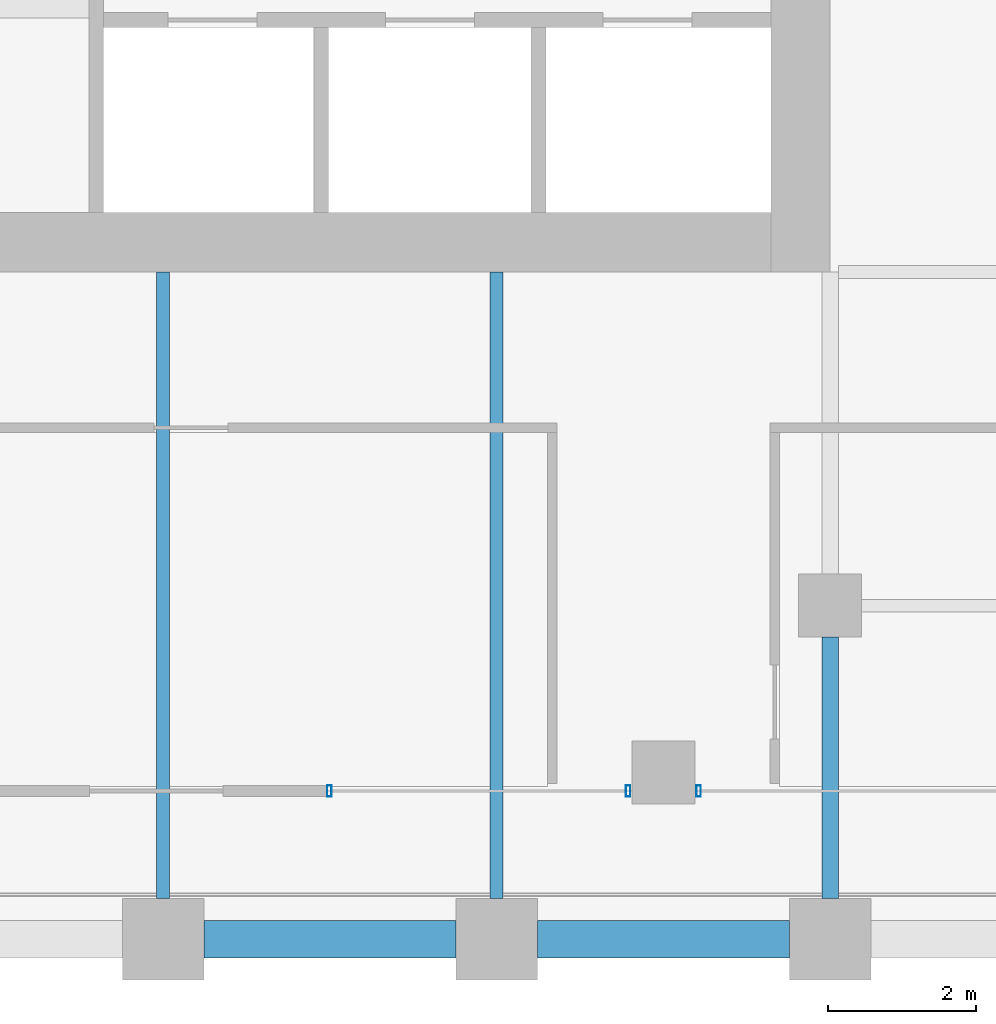
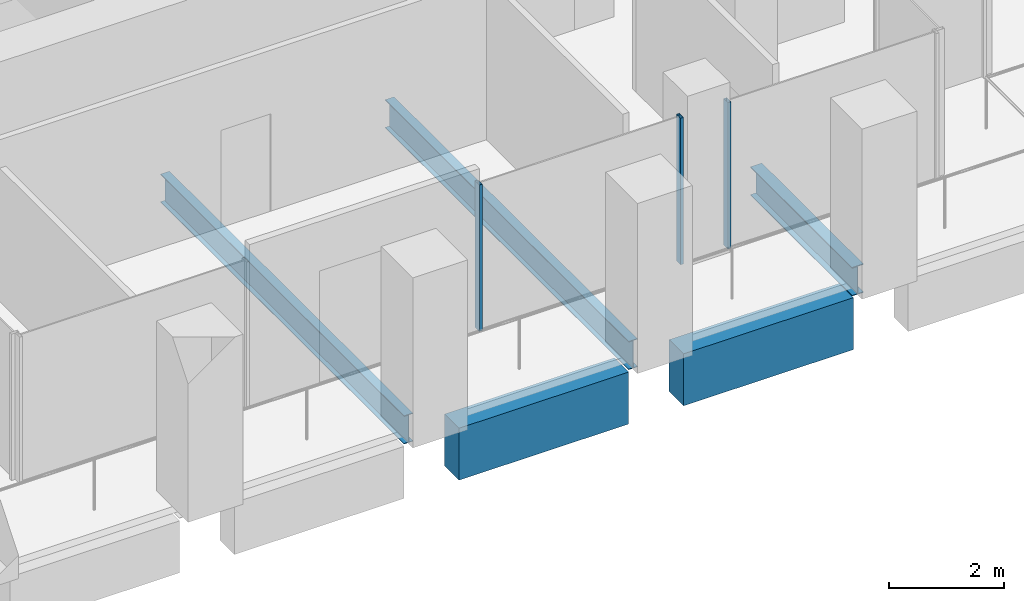
# One storey, part 37 of 56: 5 beams, 3 members, 2 elements without a shape of their own.
"""IFC4 building model written with IfcOpenShell, lengths in metres."""

from ifc_helpers import new_model, si_unit, direction, frame, origin, origin_2d, place, context, subcontext, project, spatial, rectangle, hollow_rectangle, i_section, extrude, material, material_profile, profile_set, type_object, element, aggregate, save


model = new_model("IFC4")

# Units and contexts
model_context = context("Model", 3, precision=1e-05, world=origin(), true_north=direction((0.0, 1.0)))
body_context = subcontext(model_context, "Body", "Model", "MODEL_VIEW")
ifc_project = project(units=[si_unit("LENGTHUNIT", "METRE"), si_unit("AREAUNIT", "SQUARE_METRE"), si_unit("VOLUMEUNIT", "CUBIC_METRE"), si_unit("PLANEANGLEUNIT", "RADIAN"), si_unit("MASSUNIT", "GRAM", prefix="KILO")], contexts=[model_context])

# Site, building, storey
site_placement = place(None, origin())
site = spatial("IfcSite", under=ifc_project, at=site_placement, CompositionType="ELEMENT")
building_placement = place(site_placement, origin())
building = spatial("IfcBuilding", under=site, at=building_placement, Name="Altepetl Exchange Towers", CompositionType="ELEMENT")
storey_placement = place(building_placement, frame((0.0, 0.0, 51.0)))
storey = spatial("IfcBuildingStorey", under=building, at=storey_placement, Name="L11", CompositionType="ELEMENT", Elevation=51.0)

# Beams
ifc_material_1 = material(Name="Steel S355", Category="steel")
ifc_material_profile_1 = material_profile(ifc_material_1, i_section(OverallWidth=0.177978515625, OverallDepth=0.59912109375, WebThickness=0.010009765625, FlangeThickness=0.0126953125, at=origin_2d()), Name="W24X55")
ifc_profile_set_1 = profile_set([ifc_material_profile_1], Name="Steel S355")
beam_type_1 = type_object("IfcBeamType", Name="Floor beam W24X55", PredefinedType="BEAM", material=ifc_profile_set_1)
for number, where, z_axis, x_axis, name in (
    (1, (108.0, 27.550048828125, -0.449462890625), (0.0, 1.0, 0.0), (-1.0, 0.0, 0.0), "bm:B:L11:010"),
    (2, (112.5, 27.550048828125, -0.449462890625), (0.0, 1.0, 0.0), (-1.0, 0.0, 0.0), "bm:B:L11:011"),
):
    element("IfcBeam", number, at=place(storey_placement, frame(where, z_axis=z_axis, x_axis=x_axis)), inside=storey, type_object=beam_type_1, Name=name, PredefinedType="BEAM", context=body_context, shape_type="SweptSolid", body=[
        extrude(i_section(OverallWidth=0.177978515625, OverallDepth=0.59912109375, WebThickness=0.010009765625, FlangeThickness=0.0126953125, at=origin_2d()), origin(), (0.0, 0.0, 1.0), 8.449951171875),
    ])
ifc_material_profile_2 = material_profile(ifc_material_1, i_section(OverallWidth=0.22802734375, OverallDepth=0.60791015625, WebThickness=0.01123046875, FlangeThickness=0.017333984375, at=origin_2d()), Name="W24X76")
ifc_profile_set_2 = profile_set([ifc_material_profile_2], Name="Steel S355")
beam_type_2 = type_object("IfcBeamType", Name="Girder W24X76", PredefinedType="BEAM", material=ifc_profile_set_2)
beam_placement = place(storey_placement, frame((117.0, 31.074951171875, -0.4541015625), z_axis=(0.0, -1.0, 0.0), x_axis=(1.0, 0.0, 0.0)))
element("IfcBeam", 3, at=beam_placement, inside=storey, type_object=beam_type_2, Name="gd:B:L11:005", PredefinedType="BEAM", context=body_context, shape_type="SweptSolid", body=[
    extrude(i_section(OverallWidth=0.22802734375, OverallDepth=0.60791015625, WebThickness=0.01123046875, FlangeThickness=0.017333984375, at=origin_2d()), origin(), (0.0, 0.0, 1.0), 3.52490234375),
])

# Curtain wall, members
ifc_material_2 = material(Name="Aluminium 6063-T6 glazing", Category="aluminium")
curtain_wall_type = type_object("IfcCurtainWallType", Name="Loggia glazing system", PredefinedType="NOTDEFINED", material=ifc_material_2)
curtain_wall_1_placement = place(storey_placement, origin())
curtain_wall_1 = element("IfcCurtainWall", 4, at=curtain_wall_1_placement, inside=storey, type_object=curtain_wall_type, Name="CW1 run", PredefinedType="NOTDEFINED")
ifc_material_3 = material(Name="Aluminium 6063-T6", Category="aluminium")
ifc_material_profile_3 = material_profile(ifc_material_3, hollow_rectangle(XDim=0.06005859375, YDim=0.14990234375, WallThickness=0.0029296875, at=origin_2d()), Name="Mullion 60x150 aluminium")
ifc_profile_set_3 = profile_set([ifc_material_profile_3], Name="Aluminium 6063-T6")
member_type = type_object("IfcMemberType", Name="Mullion 60x150 aluminium", PredefinedType="MULLION", material=ifc_profile_set_3)
member_1_placement = place(storey_placement, frame((110.242431640625, 29.0, 0.0)))
member_1 = element("IfcMember", 5, at=member_1_placement, type_object=member_type, Name="MU1 mullion", PredefinedType="MULLION", context=body_context, shape_type="SweptSolid", body=[
    extrude(hollow_rectangle(XDim=0.06005859375, YDim=0.14990234375, WallThickness=0.0029296875, at=origin_2d()), origin(), (0.0, 0.0, 1.0), 3.10009765625),
])
member_2_placement = place(storey_placement, frame((114.27490234375, 29.0, 0.0)))
member_2 = element("IfcMember", 6, at=member_2_placement, type_object=member_type, Name="MU1 mullion", PredefinedType="MULLION", context=body_context, shape_type="SweptSolid", body=[
    extrude(hollow_rectangle(XDim=0.06005859375, YDim=0.14990234375, WallThickness=0.0029296875, at=origin_2d()), origin(), (0.0, 0.0, 1.0), 3.10009765625),
])
aggregate(curtain_wall_1, [member_1, member_2])

# Curtain wall, member
curtain_wall_2_placement = place(storey_placement, origin())
curtain_wall_2 = element("IfcCurtainWall", 7, at=curtain_wall_2_placement, inside=storey, type_object=curtain_wall_type, Name="CW1 run", PredefinedType="NOTDEFINED")
member_3_placement = place(storey_placement, frame((115.22509765625, 29.0, 0.0)))
member_3 = element("IfcMember", 8, at=member_3_placement, type_object=member_type, Name="MU1 mullion", PredefinedType="MULLION", context=body_context, shape_type="SweptSolid", body=[
    extrude(hollow_rectangle(XDim=0.06005859375, YDim=0.14990234375, WallThickness=0.0029296875, at=origin_2d()), origin(), (0.0, 0.0, 1.0), 3.10009765625),
])
aggregate(curtain_wall_2, [member_3])

# Beams
ifc_material_4 = material(Name="Concrete C50/60 precast with tezontle facing", Category="concrete")
ifc_material_profile_4 = material_profile(ifc_material_4, rectangle(XDim=0.5, YDim=1.10009765625, at=origin_2d()), Name="500 x 1100")
ifc_profile_set_4 = profile_set([ifc_material_profile_4], Name="Concrete C50/60 precast with tezontle facing")
beam_type_3 = type_object("IfcBeamType", Name="Spandrel beam 500x1100 tezontle", PredefinedType="SPANDREL", material=ifc_profile_set_4)
for number, where, z_axis, x_axis, name in (
    (9, (108.550048828125, 27.0, -0.699951171875), (1.0, 0.0, 0.0), (0.0, 1.0, 0.0), "sp:B:L11:002"),
    (10, (113.050048828125, 27.0, -0.699951171875), (1.0, 0.0, 0.0), (0.0, 1.0, 0.0), "sp:B:L11:003"),
):
    element("IfcBeam", number, at=place(storey_placement, frame(where, z_axis=z_axis, x_axis=x_axis)), inside=storey, type_object=beam_type_3, Name=name, PredefinedType="SPANDREL", context=body_context, shape_type="SweptSolid", body=[
        extrude(rectangle(XDim=0.5, YDim=1.10009765625, at=origin_2d()), origin(), (0.0, 0.0, 1.0), 3.39990234375),
    ])

save(model, "model.ifc")
